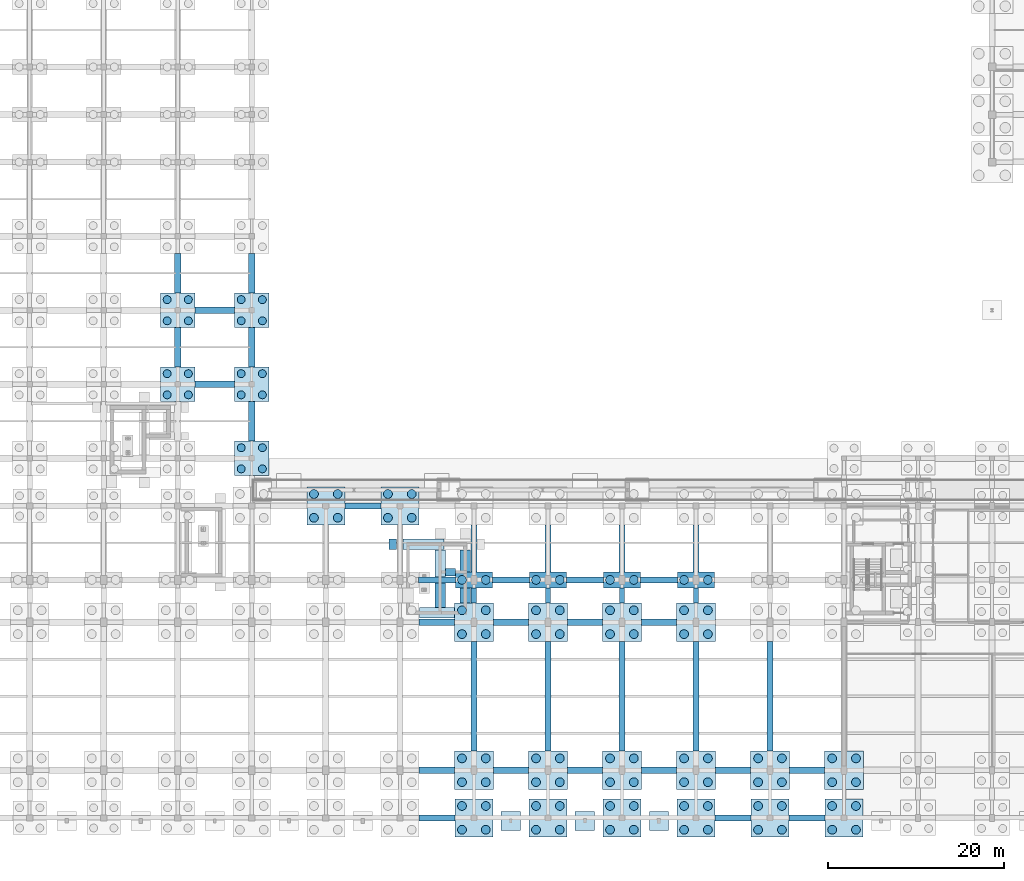
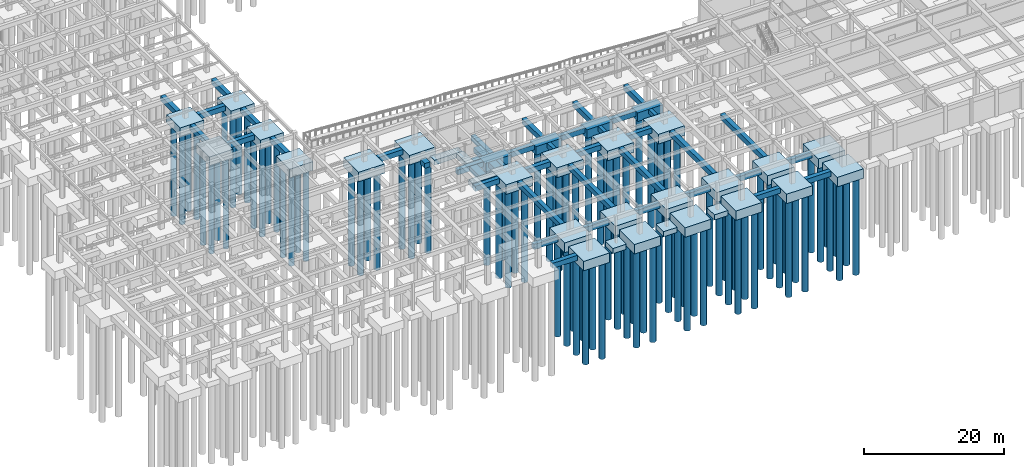
# One storey, part 3 of 49: 100 piles, 76 footings.
"""IFC4 building model written with IfcOpenShell, lengths in metres."""

from ifc_helpers import new_model, si_unit, direction, frame, origin, origin_2d, place, context, subcontext, project, spatial, rectangle, circle, extrude, material, material_profile, profile_set, type_object, element, save


model = new_model("IFC4")

# Units and contexts
model_context = context("Model", 3, precision=1e-05, world=origin(), true_north=direction((0.0, 1.0)))
body_context = subcontext(model_context, "Body", "Model", "MODEL_VIEW")
ifc_project = project(units=[si_unit("LENGTHUNIT", "METRE"), si_unit("AREAUNIT", "SQUARE_METRE"), si_unit("VOLUMEUNIT", "CUBIC_METRE"), si_unit("PLANEANGLEUNIT", "RADIAN"), si_unit("MASSUNIT", "GRAM", prefix="KILO")], contexts=[model_context])

# Site, building, storey
site_placement = place(None, origin())
site = spatial("IfcSite", under=ifc_project, at=site_placement, CompositionType="ELEMENT")
building_placement = place(site_placement, origin())
building = spatial("IfcBuilding", under=site, at=building_placement, Name="Krzemoval Escarpment Law Courts", CompositionType="ELEMENT")
storey_placement = place(building_placement, frame((0.0, 0.0, -4.800048828125)))
storey = spatial("IfcBuildingStorey", under=building, at=storey_placement, Name="B1", CompositionType="ELEMENT", Elevation=-4.800048828125)

# Footings
ifc_material_1 = material(Name="Concrete C35/45", Category="concrete")
footing_type_1 = type_object("IfcFootingType", Name="CAP-2P-4200x1800x1500", PredefinedType="PILE_CAP", material=ifc_material_1)
for number, where, z_axis, x_axis, name in (
    (1, (67.199951171875, 27.0, -1.5), (0.0, 0.0, 1.0), (1.0, 0.0, 0.0), "Pile Cap FC-114"),
    (2, (75.60009765625, 27.0, -1.5), (0.0, 0.0, 1.0), (1.0, 0.0, 0.0), "Pile Cap FC-122"),
    (3, (84.0, 27.0, -1.5), (0.0, 0.0, 1.0), (1.0, 0.0, 0.0), "Pile Cap FC-130"),
    (4, (92.39990234375, 27.0, -1.5), (0.0, 0.0, 1.0), (1.0, 0.0, 0.0), "Pile Cap FC-138"),
):
    element("IfcFooting", number, at=place(storey_placement, frame(where, z_axis=z_axis, x_axis=x_axis)), inside=storey, type_object=footing_type_1, Name=name, PredefinedType="PILE_CAP", context=body_context, shape_type="SweptSolid", body=[
        extrude(rectangle(XDim=4.199951171875, YDim=1.800048828125, at=origin_2d()), origin(), (0.0, 0.0, 1.0), 1.5),
    ])
ifc_material_2 = material(Name="Concrete C35/45", Category="concrete")
footing_type_2 = type_object("IfcFootingType", Name="CAP-4P-3900x3900x1500", PredefinedType="PILE_CAP", material=ifc_material_2)
for number, where, z_axis, x_axis, name in (
    (5, (33.60009765625, 49.199951171875, -1.5), (0.0, 0.0, 1.0), (1.0, 0.0, 0.0), "Pile Cap FC-067"),
    (6, (33.60009765625, 57.60009765625, -1.5), (0.0, 0.0, 1.0), (1.0, 0.0, 0.0), "Pile Cap FC-068"),
    (7, (42.0, 40.800048828125, -1.5), (0.0, 0.0, 1.0), (1.0, 0.0, 0.0), "Pile Cap FC-083"),
    (8, (42.0, 49.199951171875, -1.5), (0.0, 0.0, 1.0), (1.0, 0.0, 0.0), "Pile Cap FC-084"),
    (9, (42.0, 57.60009765625, -1.5), (0.0, 0.0, 1.0), (1.0, 0.0, 0.0), "Pile Cap FC-085"),
):
    element("IfcFooting", number, at=place(storey_placement, frame(where, z_axis=z_axis, x_axis=x_axis)), inside=storey, type_object=footing_type_2, Name=name, PredefinedType="PILE_CAP", context=body_context, shape_type="SweptSolid", body=[
        extrude(rectangle(XDim=3.89990234375, YDim=3.89990234375, at=origin_2d()), origin(), (0.0, 0.0, 1.0), 1.5),
    ])
ifc_material_3 = material(Name="Concrete C35/45", Category="concrete")
footing_type_3 = type_object("IfcFootingType", Name="CAP-4P-4300x4300x1650", PredefinedType="PILE_CAP", material=ifc_material_3)
for number, where, z_axis, x_axis, name in (
    (10, (50.39990234375, 35.39990234375, -1.64990234375), (0.0, 0.0, 1.0), (1.0, 0.0, 0.0), "Pile Cap FC-099"),
    (11, (58.800048828125, 35.39990234375, -1.64990234375), (0.0, 0.0, 1.0), (1.0, 0.0, 0.0), "Pile Cap FC-107"),
    (12, (67.199951171875, 0.0, -1.64990234375), (0.0, 0.0, 1.0), (1.0, 0.0, 0.0), "Pile Cap FC-111"),
    (13, (75.60009765625, 0.0, -1.64990234375), (0.0, 0.0, 1.0), (1.0, 0.0, 0.0), "Pile Cap FC-119"),
    (14, (84.0, 0.0, -1.64990234375), (0.0, 0.0, 1.0), (1.0, 0.0, 0.0), "Pile Cap FC-127"),
    (15, (92.39990234375, 0.0, -1.64990234375), (0.0, 0.0, 1.0), (1.0, 0.0, 0.0), "Pile Cap FC-135"),
    (16, (100.800048828125, 0.0, -1.64990234375), (0.0, 0.0, 1.0), (1.0, 0.0, 0.0), "Pile Cap FC-143"),
    (17, (109.199951171875, 0.0, -1.64990234375), (0.0, 0.0, 1.0), (1.0, 0.0, 0.0), "Pile Cap FC-151"),
):
    element("IfcFooting", number, at=place(storey_placement, frame(where, z_axis=z_axis, x_axis=x_axis)), inside=storey, type_object=footing_type_3, Name=name, PredefinedType="PILE_CAP", context=body_context, shape_type="SweptSolid", body=[
        extrude(rectangle(XDim=4.300048828125, YDim=4.300048828125, at=origin_2d()), origin(), (0.0, 0.0, 1.0), 1.64990234375),
    ])
ifc_material_4 = material(Name="Concrete C35/45", Category="concrete")
footing_type_4 = type_object("IfcFootingType", Name="CAP-4P-4400x4400x1700", PredefinedType="PILE_CAP", material=ifc_material_4)
for number, where, z_axis, x_axis, name in (
    (18, (67.199951171875, 5.39990234375, -1.69970703125), (0.0, 0.0, 1.0), (1.0, 0.0, 0.0), "Pile Cap FC-112"),
    (19, (67.199951171875, 22.199951171875, -1.69970703125), (0.0, 0.0, 1.0), (1.0, 0.0, 0.0), "Pile Cap FC-113"),
    (20, (75.60009765625, 5.39990234375, -1.69970703125), (0.0, 0.0, 1.0), (1.0, 0.0, 0.0), "Pile Cap FC-120"),
    (21, (75.60009765625, 22.199951171875, -1.69970703125), (0.0, 0.0, 1.0), (1.0, 0.0, 0.0), "Pile Cap FC-121"),
    (22, (84.0, 5.39990234375, -1.69970703125), (0.0, 0.0, 1.0), (1.0, 0.0, 0.0), "Pile Cap FC-128"),
    (23, (84.0, 22.199951171875, -1.69970703125), (0.0, 0.0, 1.0), (1.0, 0.0, 0.0), "Pile Cap FC-129"),
    (24, (92.39990234375, 5.39990234375, -1.69970703125), (0.0, 0.0, 1.0), (1.0, 0.0, 0.0), "Pile Cap FC-136"),
    (25, (92.39990234375, 22.199951171875, -1.69970703125), (0.0, 0.0, 1.0), (1.0, 0.0, 0.0), "Pile Cap FC-137"),
    (26, (100.800048828125, 5.39990234375, -1.69970703125), (0.0, 0.0, 1.0), (1.0, 0.0, 0.0), "Pile Cap FC-144"),
    (27, (109.199951171875, 5.39990234375, -1.69970703125), (0.0, 0.0, 1.0), (1.0, 0.0, 0.0), "Pile Cap FC-152"),
):
    element("IfcFooting", number, at=place(storey_placement, frame(where, z_axis=z_axis, x_axis=x_axis)), inside=storey, type_object=footing_type_4, Name=name, PredefinedType="PILE_CAP", context=body_context, shape_type="SweptSolid", body=[
        extrude(rectangle(XDim=4.39990234375, YDim=4.39990234375, at=origin_2d()), origin(), (0.0, 0.0, 1.0), 1.699951171875),
    ])
ifc_material_5 = material(Name="Concrete C35/45", Category="concrete")
footing_type_5 = type_object("IfcFootingType", Name="GB-600x800-L1700", PredefinedType="FOOTING_BEAM", material=ifc_material_5)
for number, where, z_axis, x_axis, name in (
    (28, (67.199951171875, 25.25, -0.7998046875), (0.0, 0.0, 1.0), (0.0, 1.0, 0.0), "Ground Tie Beam GB-311"),
    (29, (75.60009765625, 25.25, -0.7998046875), (0.0, 0.0, 1.0), (0.0, 1.0, 0.0), "Ground Tie Beam GB-316"),
    (30, (84.0, 25.25, -0.7998046875), (0.0, 0.0, 1.0), (0.0, 1.0, 0.0), "Ground Tie Beam GB-321"),
    (31, (92.39990234375, 25.25, -0.7998046875), (0.0, 0.0, 1.0), (0.0, 1.0, 0.0), "Ground Tie Beam GB-326"),
):
    element("IfcFooting", number, at=place(storey_placement, frame(where, z_axis=z_axis, x_axis=x_axis)), inside=storey, type_object=footing_type_5, Name=name, PredefinedType="FOOTING_BEAM", context=body_context, shape_type="SweptSolid", body=[
        extrude(rectangle(XDim=1.699951171875, YDim=0.60009765625, at=origin_2d()), origin(), (0.0, 0.0, 1.0), 0.800048828125),
    ])
ifc_material_6 = material(Name="Concrete C35/45", Category="concrete")
footing_type_6 = type_object("IfcFootingType", Name="GB-700x900-L12400", PredefinedType="FOOTING_BEAM", material=ifc_material_6)
for number, where, z_axis, x_axis, name in (
    (32, (67.199951171875, 13.800048828125, -0.89990234375), (0.0, 0.0, 1.0), (0.0, 1.0, 0.0), "Ground Tie Beam GB-310"),
    (33, (75.60009765625, 13.800048828125, -0.89990234375), (0.0, 0.0, 1.0), (0.0, 1.0, 0.0), "Ground Tie Beam GB-315"),
    (34, (84.0, 13.800048828125, -0.89990234375), (0.0, 0.0, 1.0), (0.0, 1.0, 0.0), "Ground Tie Beam GB-320"),
    (35, (92.39990234375, 13.800048828125, -0.89990234375), (0.0, 0.0, 1.0), (0.0, 1.0, 0.0), "Ground Tie Beam GB-325"),
    (36, (100.800048828125, 13.800048828125, -0.89990234375), (0.0, 0.0, 1.0), (0.0, 1.0, 0.0), "Ground Tie Beam GB-330"),
):
    element("IfcFooting", number, at=place(storey_placement, frame(where, z_axis=z_axis, x_axis=x_axis)), inside=storey, type_object=footing_type_6, Name=name, PredefinedType="FOOTING_BEAM", context=body_context, shape_type="SweptSolid", body=[
        extrude(rectangle(XDim=12.39990234375, YDim=0.699951171875, at=origin_2d()), origin(), (0.0, 0.0, 1.0), 0.89990234375),
    ])
ifc_material_7 = material(Name="Concrete C35/45", Category="concrete")
footing_type_7 = type_object("IfcFootingType", Name="GB-700x900-L4000", PredefinedType="FOOTING_BEAM", material=ifc_material_7)
for number, where, z_axis, x_axis, name in (
    (37, (63.0, 5.39990234375, -0.89990234375), (0.0, 0.0, 1.0), (1.0, 0.0, 0.0), "Ground Tie Beam GB-014"),
    (38, (71.39990234375, 5.39990234375, -0.89990234375), (0.0, 0.0, 1.0), (1.0, 0.0, 0.0), "Ground Tie Beam GB-015"),
    (39, (79.800048828125, 5.39990234375, -0.89990234375), (0.0, 0.0, 1.0), (1.0, 0.0, 0.0), "Ground Tie Beam GB-016"),
    (40, (88.199951171875, 5.39990234375, -0.89990234375), (0.0, 0.0, 1.0), (1.0, 0.0, 0.0), "Ground Tie Beam GB-017"),
    (41, (96.60009765625, 5.39990234375, -0.89990234375), (0.0, 0.0, 1.0), (1.0, 0.0, 0.0), "Ground Tie Beam GB-018"),
    (42, (105.0, 5.39990234375, -0.89990234375), (0.0, 0.0, 1.0), (1.0, 0.0, 0.0), "Ground Tie Beam GB-019"),
    (43, (63.0, 22.199951171875, -0.89990234375), (0.0, 0.0, 1.0), (1.0, 0.0, 0.0), "Ground Tie Beam GB-032"),
    (44, (71.39990234375, 22.199951171875, -0.89990234375), (0.0, 0.0, 1.0), (1.0, 0.0, 0.0), "Ground Tie Beam GB-033"),
    (45, (79.800048828125, 22.199951171875, -0.89990234375), (0.0, 0.0, 1.0), (1.0, 0.0, 0.0), "Ground Tie Beam GB-034"),
    (46, (88.199951171875, 22.199951171875, -0.89990234375), (0.0, 0.0, 1.0), (1.0, 0.0, 0.0), "Ground Tie Beam GB-035"),
):
    element("IfcFooting", number, at=place(storey_placement, frame(where, z_axis=z_axis, x_axis=x_axis)), inside=storey, type_object=footing_type_7, Name=name, PredefinedType="FOOTING_BEAM", context=body_context, shape_type="SweptSolid", body=[
        extrude(rectangle(XDim=4.0, YDim=0.699951171875, at=origin_2d()), origin(), (0.0, 0.0, 1.0), 0.89990234375),
    ])
ifc_material_8 = material(Name="Concrete C35/45", Category="concrete")
footing_type_8 = type_object("IfcFootingType", Name="GB-700x900-L4100", PredefinedType="FOOTING_BEAM", material=ifc_material_8)
for number, where, z_axis, x_axis, name in (
    (47, (63.0, 0.0, -0.89990234375), (0.0, 0.0, 1.0), (1.0, 0.0, 0.0), "Ground Tie Beam GB-002"),
    (48, (96.60009765625, 0.0, -0.89990234375), (0.0, 0.0, 1.0), (1.0, 0.0, 0.0), "Ground Tie Beam GB-003"),
    (49, (105.0, 0.0, -0.89990234375), (0.0, 0.0, 1.0), (1.0, 0.0, 0.0), "Ground Tie Beam GB-004"),
    (50, (54.60009765625, 35.39990234375, -0.89990234375), (0.0, 0.0, 1.0), (1.0, 0.0, 0.0), "Ground Tie Beam GB-067"),
):
    element("IfcFooting", number, at=place(storey_placement, frame(where, z_axis=z_axis, x_axis=x_axis)), inside=storey, type_object=footing_type_8, Name=name, PredefinedType="FOOTING_BEAM", context=body_context, shape_type="SweptSolid", body=[
        extrude(rectangle(XDim=4.10009765625, YDim=0.699951171875, at=origin_2d()), origin(), (0.0, 0.0, 1.0), 0.89990234375),
    ])
ifc_material_9 = material(Name="Concrete C35/45", Category="concrete")
footing_type_9 = type_object("IfcFootingType", Name="GB-700x900-L4200", PredefinedType="FOOTING_BEAM", material=ifc_material_9)
for number, where, z_axis, x_axis, name in (
    (51, (63.0, 27.0, -0.89990234375), (0.0, 0.0, 1.0), (1.0, 0.0, 0.0), "Ground Tie Beam GB-050"),
    (52, (71.39990234375, 27.0, -0.89990234375), (0.0, 0.0, 1.0), (1.0, 0.0, 0.0), "Ground Tie Beam GB-051"),
    (53, (79.800048828125, 27.0, -0.89990234375), (0.0, 0.0, 1.0), (1.0, 0.0, 0.0), "Ground Tie Beam GB-052"),
    (54, (88.199951171875, 27.0, -0.89990234375), (0.0, 0.0, 1.0), (1.0, 0.0, 0.0), "Ground Tie Beam GB-053"),
):
    element("IfcFooting", number, at=place(storey_placement, frame(where, z_axis=z_axis, x_axis=x_axis)), inside=storey, type_object=footing_type_9, Name=name, PredefinedType="FOOTING_BEAM", context=body_context, shape_type="SweptSolid", body=[
        extrude(rectangle(XDim=4.199951171875, YDim=0.699951171875, at=origin_2d()), origin(), (0.0, 0.0, 1.0), 0.89990234375),
    ])
ifc_material_10 = material(Name="Concrete C35/45", Category="concrete")
footing_type_10 = type_object("IfcFootingType", Name="GB-700x900-L4500", PredefinedType="FOOTING_BEAM", material=ifc_material_10)
for number, where, z_axis, x_axis, name in (
    (55, (37.800048828125, 49.199951171875, -0.89990234375), (0.0, 0.0, 1.0), (1.0, 0.0, 0.0), "Ground Tie Beam GB-095"),
    (56, (37.800048828125, 57.60009765625, -0.89990234375), (0.0, 0.0, 1.0), (1.0, 0.0, 0.0), "Ground Tie Beam GB-105"),
    (57, (33.60009765625, 53.39990234375, -0.89990234375), (0.0, 0.0, 1.0), (0.0, 1.0, 0.0), "Ground Tie Beam GB-275"),
    (58, (33.60009765625, 61.800048828125, -0.89990234375), (0.0, 0.0, 1.0), (0.0, 1.0, 0.0), "Ground Tie Beam GB-276"),
    (59, (42.0, 45.0, -0.89990234375), (0.0, 0.0, 1.0), (0.0, 1.0, 0.0), "Ground Tie Beam GB-289"),
    (60, (42.0, 53.39990234375, -0.89990234375), (0.0, 0.0, 1.0), (0.0, 1.0, 0.0), "Ground Tie Beam GB-290"),
    (61, (42.0, 61.800048828125, -0.89990234375), (0.0, 0.0, 1.0), (0.0, 1.0, 0.0), "Ground Tie Beam GB-291"),
):
    element("IfcFooting", number, at=place(storey_placement, frame(where, z_axis=z_axis, x_axis=x_axis)), inside=storey, type_object=footing_type_10, Name=name, PredefinedType="FOOTING_BEAM", context=body_context, shape_type="SweptSolid", body=[
        extrude(rectangle(XDim=4.5, YDim=0.699951171875, at=origin_2d()), origin(), (0.0, 0.0, 1.0), 0.89990234375),
    ])
ifc_material_11 = material(Name="Concrete C35/45", Category="concrete")
footing_type_11 = type_object("IfcFootingType", Name="GB-700x900-L5350", PredefinedType="FOOTING_BEAM", material=ifc_material_11)
for number, where, z_axis, x_axis, name in (
    (62, (67.199951171875, 30.574951171875, -0.89990234375), (0.0, 0.0, 1.0), (0.0, 1.0, 0.0), "Ground Tie Beam GB-312"),
    (63, (75.60009765625, 30.574951171875, -0.89990234375), (0.0, 0.0, 1.0), (0.0, 1.0, 0.0), "Ground Tie Beam GB-317"),
    (64, (84.0, 30.574951171875, -0.89990234375), (0.0, 0.0, 1.0), (0.0, 1.0, 0.0), "Ground Tie Beam GB-322"),
    (65, (92.39990234375, 30.574951171875, -0.89990234375), (0.0, 0.0, 1.0), (0.0, 1.0, 0.0), "Ground Tie Beam GB-327"),
):
    element("IfcFooting", number, at=place(storey_placement, frame(where, z_axis=z_axis, x_axis=x_axis)), inside=storey, type_object=footing_type_11, Name=name, PredefinedType="FOOTING_BEAM", context=body_context, shape_type="SweptSolid", body=[
        extrude(rectangle(XDim=5.35009765625, YDim=0.699951171875, at=origin_2d()), origin(), (0.0, 0.0, 1.0), 0.89990234375),
    ])
ifc_material_12 = material(Name="Concrete C35/45", Category="concrete")
footing_type_12 = type_object("IfcFootingType", Name="PAD-2200x2200x900", PredefinedType="PAD_FOOTING", material=ifc_material_12)
for number, where, z_axis, x_axis, name in (
    (66, (71.39990234375, -0.35009765625, -0.89990234375), (0.0, 0.0, 1.0), (1.0, 0.0, 0.0), "Pad Footing PF-014"),
    (67, (79.800048828125, -0.35009765625, -0.89990234375), (0.0, 0.0, 1.0), (1.0, 0.0, 0.0), "Pad Footing PF-015"),
    (68, (88.199951171875, -0.35009765625, -0.89990234375), (0.0, 0.0, 1.0), (1.0, 0.0, 0.0), "Pad Footing PF-016"),
):
    element("IfcFooting", number, at=place(storey_placement, frame(where, z_axis=z_axis, x_axis=x_axis)), inside=storey, type_object=footing_type_12, Name=name, PredefinedType="PAD_FOOTING", context=body_context, shape_type="SweptSolid", body=[
        extrude(rectangle(XDim=2.199951171875, YDim=2.199951171875, at=origin_2d()), origin(), (0.0, 0.0, 1.0), 0.89990234375),
    ])

# Piles
ifc_material_13 = material(Name="Concrete C35/45", Category="concrete")
ifc_material_profile_1 = material_profile(ifc_material_13, circle(Radius=0.5, at=origin_2d()), Name="PILE D1000")
ifc_profile_set_1 = profile_set([ifc_material_profile_1], Name="Concrete C35/45")
pile_type_1 = type_object("IfcPileType", Name="PILE-D1000-17M", PredefinedType="BORED", material=ifc_profile_set_1)
for number, where, z_axis, x_axis, name in (
    (69, (49.050048828125, 34.050048828125, -1.5), (0.0, 0.0, -1.0), (1.0, 0.0, 0.0), "Bored Pile FP-0349"),
    (70, (51.75, 34.050048828125, -1.5), (0.0, 0.0, -1.0), (1.0, 0.0, 0.0), "Bored Pile FP-0350"),
    (71, (49.050048828125, 36.75, -1.5), (0.0, 0.0, -1.0), (1.0, 0.0, 0.0), "Bored Pile FP-0351"),
    (72, (51.75, 36.75, -1.5), (0.0, 0.0, -1.0), (1.0, 0.0, 0.0), "Bored Pile FP-0352"),
    (73, (57.449951171875, 34.050048828125, -1.5), (0.0, 0.0, -1.0), (1.0, 0.0, 0.0), "Bored Pile FP-0379"),
    (74, (60.14990234375, 34.050048828125, -1.5), (0.0, 0.0, -1.0), (1.0, 0.0, 0.0), "Bored Pile FP-0380"),
    (75, (57.449951171875, 36.75, -1.5), (0.0, 0.0, -1.0), (1.0, 0.0, 0.0), "Bored Pile FP-0381"),
    (76, (60.14990234375, 36.75, -1.5), (0.0, 0.0, -1.0), (1.0, 0.0, 0.0), "Bored Pile FP-0382"),
    (77, (65.85009765625, -1.35009765625, -1.5), (0.0, 0.0, -1.0), (1.0, 0.0, 0.0), "Bored Pile FP-0395"),
    (78, (68.550048828125, -1.35009765625, -1.5), (0.0, 0.0, -1.0), (1.0, 0.0, 0.0), "Bored Pile FP-0396"),
    (79, (65.85009765625, 1.35009765625, -1.5), (0.0, 0.0, -1.0), (1.0, 0.0, 0.0), "Bored Pile FP-0397"),
    (80, (68.550048828125, 1.35009765625, -1.5), (0.0, 0.0, -1.0), (1.0, 0.0, 0.0), "Bored Pile FP-0398"),
    (81, (65.85009765625, 4.050048828125, -1.550048828125), (0.0, 0.0, -1.0), (1.0, 0.0, 0.0), "Bored Pile FP-0399"),
    (82, (68.550048828125, 4.050048828125, -1.550048828125), (0.0, 0.0, -1.0), (1.0, 0.0, 0.0), "Bored Pile FP-0400"),
    (83, (65.85009765625, 6.75, -1.550048828125), (0.0, 0.0, -1.0), (1.0, 0.0, 0.0), "Bored Pile FP-0401"),
    (84, (68.550048828125, 6.75, -1.550048828125), (0.0, 0.0, -1.0), (1.0, 0.0, 0.0), "Bored Pile FP-0402"),
    (85, (65.85009765625, 20.85009765625, -1.550048828125), (0.0, 0.0, -1.0), (1.0, 0.0, 0.0), "Bored Pile FP-0403"),
    (86, (68.550048828125, 20.85009765625, -1.550048828125), (0.0, 0.0, -1.0), (1.0, 0.0, 0.0), "Bored Pile FP-0404"),
    (87, (65.85009765625, 23.550048828125, -1.550048828125), (0.0, 0.0, -1.0), (1.0, 0.0, 0.0), "Bored Pile FP-0405"),
    (88, (68.550048828125, 23.550048828125, -1.550048828125), (0.0, 0.0, -1.0), (1.0, 0.0, 0.0), "Bored Pile FP-0406"),
    (89, (65.85009765625, 27.0, -1.349853515625), (0.0, 0.0, -1.0), (1.0, 0.0, 0.0), "Bored Pile FP-0407"),
    (90, (68.550048828125, 27.0, -1.349853515625), (0.0, 0.0, -1.0), (1.0, 0.0, 0.0), "Bored Pile FP-0408"),
    (91, (74.25, -1.35009765625, -1.5), (0.0, 0.0, -1.0), (1.0, 0.0, 0.0), "Bored Pile FP-0425"),
    (92, (76.949951171875, -1.35009765625, -1.5), (0.0, 0.0, -1.0), (1.0, 0.0, 0.0), "Bored Pile FP-0426"),
    (93, (74.25, 1.35009765625, -1.5), (0.0, 0.0, -1.0), (1.0, 0.0, 0.0), "Bored Pile FP-0427"),
    (94, (76.949951171875, 1.35009765625, -1.5), (0.0, 0.0, -1.0), (1.0, 0.0, 0.0), "Bored Pile FP-0428"),
    (95, (74.25, 4.050048828125, -1.550048828125), (0.0, 0.0, -1.0), (1.0, 0.0, 0.0), "Bored Pile FP-0429"),
    (96, (76.949951171875, 4.050048828125, -1.550048828125), (0.0, 0.0, -1.0), (1.0, 0.0, 0.0), "Bored Pile FP-0430"),
    (97, (74.25, 6.75, -1.550048828125), (0.0, 0.0, -1.0), (1.0, 0.0, 0.0), "Bored Pile FP-0431"),
    (98, (76.949951171875, 6.75, -1.550048828125), (0.0, 0.0, -1.0), (1.0, 0.0, 0.0), "Bored Pile FP-0432"),
    (99, (74.25, 20.85009765625, -1.550048828125), (0.0, 0.0, -1.0), (1.0, 0.0, 0.0), "Bored Pile FP-0433"),
    (100, (76.949951171875, 20.85009765625, -1.550048828125), (0.0, 0.0, -1.0), (1.0, 0.0, 0.0), "Bored Pile FP-0434"),
    (101, (74.25, 23.550048828125, -1.550048828125), (0.0, 0.0, -1.0), (1.0, 0.0, 0.0), "Bored Pile FP-0435"),
    (102, (76.949951171875, 23.550048828125, -1.550048828125), (0.0, 0.0, -1.0), (1.0, 0.0, 0.0), "Bored Pile FP-0436"),
    (103, (74.25, 27.0, -1.349853515625), (0.0, 0.0, -1.0), (1.0, 0.0, 0.0), "Bored Pile FP-0437"),
    (104, (76.949951171875, 27.0, -1.349853515625), (0.0, 0.0, -1.0), (1.0, 0.0, 0.0), "Bored Pile FP-0438"),
    (105, (82.64990234375, -1.35009765625, -1.5), (0.0, 0.0, -1.0), (1.0, 0.0, 0.0), "Bored Pile FP-0455"),
    (106, (85.35009765625, -1.35009765625, -1.5), (0.0, 0.0, -1.0), (1.0, 0.0, 0.0), "Bored Pile FP-0456"),
    (107, (82.64990234375, 1.35009765625, -1.5), (0.0, 0.0, -1.0), (1.0, 0.0, 0.0), "Bored Pile FP-0457"),
    (108, (85.35009765625, 1.35009765625, -1.5), (0.0, 0.0, -1.0), (1.0, 0.0, 0.0), "Bored Pile FP-0458"),
    (109, (82.64990234375, 4.050048828125, -1.550048828125), (0.0, 0.0, -1.0), (1.0, 0.0, 0.0), "Bored Pile FP-0459"),
    (110, (85.35009765625, 4.050048828125, -1.550048828125), (0.0, 0.0, -1.0), (1.0, 0.0, 0.0), "Bored Pile FP-0460"),
    (111, (82.64990234375, 6.75, -1.550048828125), (0.0, 0.0, -1.0), (1.0, 0.0, 0.0), "Bored Pile FP-0461"),
    (112, (85.35009765625, 6.75, -1.550048828125), (0.0, 0.0, -1.0), (1.0, 0.0, 0.0), "Bored Pile FP-0462"),
    (113, (82.64990234375, 20.85009765625, -1.550048828125), (0.0, 0.0, -1.0), (1.0, 0.0, 0.0), "Bored Pile FP-0463"),
    (114, (85.35009765625, 20.85009765625, -1.550048828125), (0.0, 0.0, -1.0), (1.0, 0.0, 0.0), "Bored Pile FP-0464"),
    (115, (82.64990234375, 23.550048828125, -1.550048828125), (0.0, 0.0, -1.0), (1.0, 0.0, 0.0), "Bored Pile FP-0465"),
    (116, (85.35009765625, 23.550048828125, -1.550048828125), (0.0, 0.0, -1.0), (1.0, 0.0, 0.0), "Bored Pile FP-0466"),
    (117, (82.64990234375, 27.0, -1.349853515625), (0.0, 0.0, -1.0), (1.0, 0.0, 0.0), "Bored Pile FP-0467"),
    (118, (85.35009765625, 27.0, -1.349853515625), (0.0, 0.0, -1.0), (1.0, 0.0, 0.0), "Bored Pile FP-0468"),
    (119, (91.050048828125, -1.35009765625, -1.5), (0.0, 0.0, -1.0), (1.0, 0.0, 0.0), "Bored Pile FP-0485"),
    (120, (93.75, -1.35009765625, -1.5), (0.0, 0.0, -1.0), (1.0, 0.0, 0.0), "Bored Pile FP-0486"),
    (121, (91.050048828125, 1.35009765625, -1.5), (0.0, 0.0, -1.0), (1.0, 0.0, 0.0), "Bored Pile FP-0487"),
    (122, (93.75, 1.35009765625, -1.5), (0.0, 0.0, -1.0), (1.0, 0.0, 0.0), "Bored Pile FP-0488"),
    (123, (91.050048828125, 4.050048828125, -1.550048828125), (0.0, 0.0, -1.0), (1.0, 0.0, 0.0), "Bored Pile FP-0489"),
    (124, (93.75, 4.050048828125, -1.550048828125), (0.0, 0.0, -1.0), (1.0, 0.0, 0.0), "Bored Pile FP-0490"),
    (125, (91.050048828125, 6.75, -1.550048828125), (0.0, 0.0, -1.0), (1.0, 0.0, 0.0), "Bored Pile FP-0491"),
    (126, (93.75, 6.75, -1.550048828125), (0.0, 0.0, -1.0), (1.0, 0.0, 0.0), "Bored Pile FP-0492"),
    (127, (91.050048828125, 20.85009765625, -1.550048828125), (0.0, 0.0, -1.0), (1.0, 0.0, 0.0), "Bored Pile FP-0493"),
    (128, (93.75, 20.85009765625, -1.550048828125), (0.0, 0.0, -1.0), (1.0, 0.0, 0.0), "Bored Pile FP-0494"),
    (129, (91.050048828125, 23.550048828125, -1.550048828125), (0.0, 0.0, -1.0), (1.0, 0.0, 0.0), "Bored Pile FP-0495"),
    (130, (93.75, 23.550048828125, -1.550048828125), (0.0, 0.0, -1.0), (1.0, 0.0, 0.0), "Bored Pile FP-0496"),
    (131, (91.050048828125, 27.0, -1.349853515625), (0.0, 0.0, -1.0), (1.0, 0.0, 0.0), "Bored Pile FP-0497"),
    (132, (93.75, 27.0, -1.349853515625), (0.0, 0.0, -1.0), (1.0, 0.0, 0.0), "Bored Pile FP-0498"),
    (133, (99.449951171875, -1.35009765625, -1.5), (0.0, 0.0, -1.0), (1.0, 0.0, 0.0), "Bored Pile FP-0515"),
    (134, (102.14990234375, -1.35009765625, -1.5), (0.0, 0.0, -1.0), (1.0, 0.0, 0.0), "Bored Pile FP-0516"),
    (135, (99.449951171875, 1.35009765625, -1.5), (0.0, 0.0, -1.0), (1.0, 0.0, 0.0), "Bored Pile FP-0517"),
    (136, (102.14990234375, 1.35009765625, -1.5), (0.0, 0.0, -1.0), (1.0, 0.0, 0.0), "Bored Pile FP-0518"),
    (137, (99.449951171875, 4.050048828125, -1.550048828125), (0.0, 0.0, -1.0), (1.0, 0.0, 0.0), "Bored Pile FP-0519"),
    (138, (102.14990234375, 4.050048828125, -1.550048828125), (0.0, 0.0, -1.0), (1.0, 0.0, 0.0), "Bored Pile FP-0520"),
    (139, (99.449951171875, 6.75, -1.550048828125), (0.0, 0.0, -1.0), (1.0, 0.0, 0.0), "Bored Pile FP-0521"),
    (140, (102.14990234375, 6.75, -1.550048828125), (0.0, 0.0, -1.0), (1.0, 0.0, 0.0), "Bored Pile FP-0522"),
    (141, (107.85009765625, -1.35009765625, -1.5), (0.0, 0.0, -1.0), (1.0, 0.0, 0.0), "Bored Pile FP-0545"),
    (142, (110.550048828125, -1.35009765625, -1.5), (0.0, 0.0, -1.0), (1.0, 0.0, 0.0), "Bored Pile FP-0546"),
    (143, (107.85009765625, 1.35009765625, -1.5), (0.0, 0.0, -1.0), (1.0, 0.0, 0.0), "Bored Pile FP-0547"),
    (144, (110.550048828125, 1.35009765625, -1.5), (0.0, 0.0, -1.0), (1.0, 0.0, 0.0), "Bored Pile FP-0548"),
    (145, (107.85009765625, 4.050048828125, -1.550048828125), (0.0, 0.0, -1.0), (1.0, 0.0, 0.0), "Bored Pile FP-0549"),
    (146, (110.550048828125, 4.050048828125, -1.550048828125), (0.0, 0.0, -1.0), (1.0, 0.0, 0.0), "Bored Pile FP-0550"),
    (147, (107.85009765625, 6.75, -1.550048828125), (0.0, 0.0, -1.0), (1.0, 0.0, 0.0), "Bored Pile FP-0551"),
    (148, (110.550048828125, 6.75, -1.550048828125), (0.0, 0.0, -1.0), (1.0, 0.0, 0.0), "Bored Pile FP-0552"),
):
    element("IfcPile", number, at=place(storey_placement, frame(where, z_axis=z_axis, x_axis=x_axis)), inside=storey, type_object=pile_type_1, Name=name, PredefinedType="BORED", context=body_context, shape_type="SweptSolid", body=[
        extrude(circle(Radius=0.5, at=origin_2d()), origin(), (0.0, 0.0, 1.0), 17.0),
    ])
ifc_material_14 = material(Name="Concrete C35/45", Category="concrete")
ifc_material_profile_2 = material_profile(ifc_material_14, circle(Radius=0.449951171875, at=origin_2d()), Name="PILE D900")
ifc_profile_set_2 = profile_set([ifc_material_profile_2], Name="Concrete C35/45")
pile_type_2 = type_object("IfcPileType", Name="PILE-D900-16M", PredefinedType="BORED", material=ifc_profile_set_2)
for number, where, z_axis, x_axis, name in (
    (149, (32.39990234375, 48.0, -1.349853515625), (0.0, 0.0, -1.0), (1.0, 0.0, 0.0), "Bored Pile FP-0237"),
    (150, (34.800048828125, 48.0, -1.349853515625), (0.0, 0.0, -1.0), (1.0, 0.0, 0.0), "Bored Pile FP-0238"),
    (151, (32.39990234375, 50.39990234375, -1.349853515625), (0.0, 0.0, -1.0), (1.0, 0.0, 0.0), "Bored Pile FP-0239"),
    (152, (34.800048828125, 50.39990234375, -1.349853515625), (0.0, 0.0, -1.0), (1.0, 0.0, 0.0), "Bored Pile FP-0240"),
    (153, (32.39990234375, 56.39990234375, -1.349853515625), (0.0, 0.0, -1.0), (1.0, 0.0, 0.0), "Bored Pile FP-0241"),
    (154, (34.800048828125, 56.39990234375, -1.349853515625), (0.0, 0.0, -1.0), (1.0, 0.0, 0.0), "Bored Pile FP-0242"),
    (155, (32.39990234375, 58.800048828125, -1.349853515625), (0.0, 0.0, -1.0), (1.0, 0.0, 0.0), "Bored Pile FP-0243"),
    (156, (34.800048828125, 58.800048828125, -1.349853515625), (0.0, 0.0, -1.0), (1.0, 0.0, 0.0), "Bored Pile FP-0244"),
    (157, (40.800048828125, 39.60009765625, -1.349853515625), (0.0, 0.0, -1.0), (1.0, 0.0, 0.0), "Bored Pile FP-0293"),
    (158, (43.199951171875, 39.60009765625, -1.349853515625), (0.0, 0.0, -1.0), (1.0, 0.0, 0.0), "Bored Pile FP-0294"),
    (159, (40.800048828125, 42.0, -1.349853515625), (0.0, 0.0, -1.0), (1.0, 0.0, 0.0), "Bored Pile FP-0295"),
    (160, (43.199951171875, 42.0, -1.349853515625), (0.0, 0.0, -1.0), (1.0, 0.0, 0.0), "Bored Pile FP-0296"),
    (161, (40.800048828125, 48.0, -1.349853515625), (0.0, 0.0, -1.0), (1.0, 0.0, 0.0), "Bored Pile FP-0297"),
    (162, (43.199951171875, 48.0, -1.349853515625), (0.0, 0.0, -1.0), (1.0, 0.0, 0.0), "Bored Pile FP-0298"),
    (163, (40.800048828125, 50.39990234375, -1.349853515625), (0.0, 0.0, -1.0), (1.0, 0.0, 0.0), "Bored Pile FP-0299"),
    (164, (43.199951171875, 50.39990234375, -1.349853515625), (0.0, 0.0, -1.0), (1.0, 0.0, 0.0), "Bored Pile FP-0300"),
    (165, (40.800048828125, 56.39990234375, -1.349853515625), (0.0, 0.0, -1.0), (1.0, 0.0, 0.0), "Bored Pile FP-0301"),
    (166, (43.199951171875, 56.39990234375, -1.349853515625), (0.0, 0.0, -1.0), (1.0, 0.0, 0.0), "Bored Pile FP-0302"),
    (167, (40.800048828125, 58.800048828125, -1.349853515625), (0.0, 0.0, -1.0), (1.0, 0.0, 0.0), "Bored Pile FP-0303"),
    (168, (43.199951171875, 58.800048828125, -1.349853515625), (0.0, 0.0, -1.0), (1.0, 0.0, 0.0), "Bored Pile FP-0304"),
):
    element("IfcPile", number, at=place(storey_placement, frame(where, z_axis=z_axis, x_axis=x_axis)), inside=storey, type_object=pile_type_2, Name=name, PredefinedType="BORED", context=body_context, shape_type="SweptSolid", body=[
        extrude(circle(Radius=0.449951171875, at=origin_2d()), origin(), (0.0, 0.0, 1.0), 16.0),
    ])

# Footings
ifc_material_15 = material(Name="Concrete C35/45", Category="concrete")
footing_type_13 = type_object("IfcFootingType", Name="SF-1200x850-L1690", PredefinedType="STRIP_FOOTING", material=ifc_material_15)
footing_1_placement = place(storey_placement, frame((66.22509765625, 25.25, -0.85009765625), z_axis=(0.0, 0.0, 1.0), x_axis=(0.0, 1.0, 0.0)))
element("IfcFooting", 169, at=footing_1_placement, inside=storey, type_object=footing_type_13, Name="Wall Strip Footing SF-016", PredefinedType="STRIP_FOOTING", context=body_context, shape_type="SweptSolid", body=[
    extrude(rectangle(XDim=1.68994140625, YDim=1.199951171875, at=origin_2d()), origin(), (0.0, 0.0, 1.0), 0.85009765625),
])
ifc_material_16 = material(Name="Concrete C35/45", Category="concrete")
footing_type_14 = type_object("IfcFootingType", Name="SF-1200x850-L2515", PredefinedType="STRIP_FOOTING", material=ifc_material_16)
footing_2_placement = place(storey_placement, frame((66.22509765625, 29.162109375, -0.85009765625), z_axis=(0.0, 0.0, 1.0), x_axis=(0.0, 1.0, 0.0)))
element("IfcFooting", 170, at=footing_2_placement, inside=storey, type_object=footing_type_14, Name="Wall Strip Footing SF-014", PredefinedType="STRIP_FOOTING", context=body_context, shape_type="SweptSolid", body=[
    extrude(rectangle(XDim=2.514892578125, YDim=1.199951171875, at=origin_2d()), origin(), (0.0, 0.0, 1.0), 0.85009765625),
])
ifc_material_17 = material(Name="Concrete C35/45", Category="concrete")
footing_type_15 = type_object("IfcFootingType", Name="SF-1200x850-L2765", PredefinedType="STRIP_FOOTING", material=ifc_material_17)
footing_3_placement = place(storey_placement, frame((63.375, 25.261962890625, -0.85009765625), z_axis=(0.0, 0.0, 1.0), x_axis=(0.0, 1.0, 0.0)))
element("IfcFooting", 171, at=footing_3_placement, inside=storey, type_object=footing_type_15, Name="Wall Strip Footing SF-008", PredefinedType="STRIP_FOOTING", context=body_context, shape_type="SweptSolid", body=[
    extrude(rectangle(XDim=2.764892578125, YDim=1.199951171875, at=origin_2d()), origin(), (0.0, 0.0, 1.0), 0.85009765625),
])
ifc_material_18 = material(Name="Concrete C35/45", Category="concrete")
footing_type_16 = type_object("IfcFootingType", Name="SF-1200x850-L3065", PredefinedType="STRIP_FOOTING", material=ifc_material_18)
footing_4_placement = place(storey_placement, frame((63.375, 28.886962890625, -0.85009765625), z_axis=(0.0, 0.0, 1.0), x_axis=(0.0, 1.0, 0.0)))
element("IfcFooting", 172, at=footing_4_placement, inside=storey, type_object=footing_type_16, Name="Wall Strip Footing SF-009", PredefinedType="STRIP_FOOTING", context=body_context, shape_type="SweptSolid", body=[
    extrude(rectangle(XDim=3.06494140625, YDim=1.199951171875, at=origin_2d()), origin(), (0.0, 0.0, 1.0), 0.85009765625),
])
ifc_material_19 = material(Name="Concrete C35/45", Category="concrete")
footing_type_17 = type_object("IfcFootingType", Name="SF-1200x850-L3990", PredefinedType="STRIP_FOOTING", material=ifc_material_19)
footing_5_placement = place(storey_placement, frame((63.0, 23.27490234375, -0.85009765625), z_axis=(0.0, 0.0, 1.0), x_axis=(1.0, 0.0, 0.0)))
element("IfcFooting", 173, at=footing_5_placement, inside=storey, type_object=footing_type_17, Name="Wall Strip Footing SF-006", PredefinedType="STRIP_FOOTING", context=body_context, shape_type="SweptSolid", body=[
    extrude(rectangle(XDim=3.989990234375, YDim=1.199951171875, at=origin_2d()), origin(), (0.0, 0.0, 1.0), 0.85009765625),
])
ifc_material_20 = material(Name="Concrete C35/45", Category="concrete")
footing_type_18 = type_object("IfcFootingType", Name="SF-1200x850-L4645", PredefinedType="STRIP_FOOTING", material=ifc_material_20)
footing_6_placement = place(storey_placement, frame((61.47705078125, 31.02490234375, -0.85009765625), z_axis=(0.0, 0.0, 1.0), x_axis=(1.0, 0.0, 0.0)))
element("IfcFooting", 174, at=footing_6_placement, inside=storey, type_object=footing_type_18, Name="Wall Strip Footing SF-005", PredefinedType="STRIP_FOOTING", context=body_context, shape_type="SweptSolid", body=[
    extrude(rectangle(XDim=4.64501953125, YDim=1.199951171875, at=origin_2d()), origin(), (0.0, 0.0, 1.0), 0.85009765625),
])
ifc_material_21 = material(Name="Concrete C35/45", Category="concrete")
footing_type_19 = type_object("IfcFootingType", Name="SF-850x850-L1115", PredefinedType="STRIP_FOOTING", material=ifc_material_21)
footing_7_placement = place(storey_placement, frame((64.5380859375, 27.875, -0.85009765625), z_axis=(0.0, 0.0, 1.0), x_axis=(1.0, 0.0, 0.0)))
element("IfcFooting", 175, at=footing_7_placement, inside=storey, type_object=footing_type_19, Name="Wall Strip Footing SF-011", PredefinedType="STRIP_FOOTING", context=body_context, shape_type="SweptSolid", body=[
    extrude(rectangle(XDim=1.114990234375, YDim=0.85009765625, at=origin_2d()), origin(), (0.0, 0.0, 1.0), 0.85009765625),
])
ifc_material_22 = material(Name="Concrete C35/45", Category="concrete")
footing_type_20 = type_object("IfcFootingType", Name="SF-895x850-L1200", PredefinedType="STRIP_FOOTING", material=ifc_material_22)
footing_8_placement = place(storey_placement, frame((57.9970703125, 31.02490234375, -0.85009765625), z_axis=(0.0, 0.0, 1.0), x_axis=(0.0, 1.0, 0.0)))
element("IfcFooting", 176, at=footing_8_placement, inside=storey, type_object=footing_type_20, Name="Wall Strip Footing SF-004", PredefinedType="STRIP_FOOTING", context=body_context, shape_type="SweptSolid", body=[
    extrude(rectangle(XDim=1.199951171875, YDim=0.89501953125, at=origin_2d()), origin(), (0.0, 0.0, 1.0), 0.85009765625),
])

save(model, "model.ifc")
